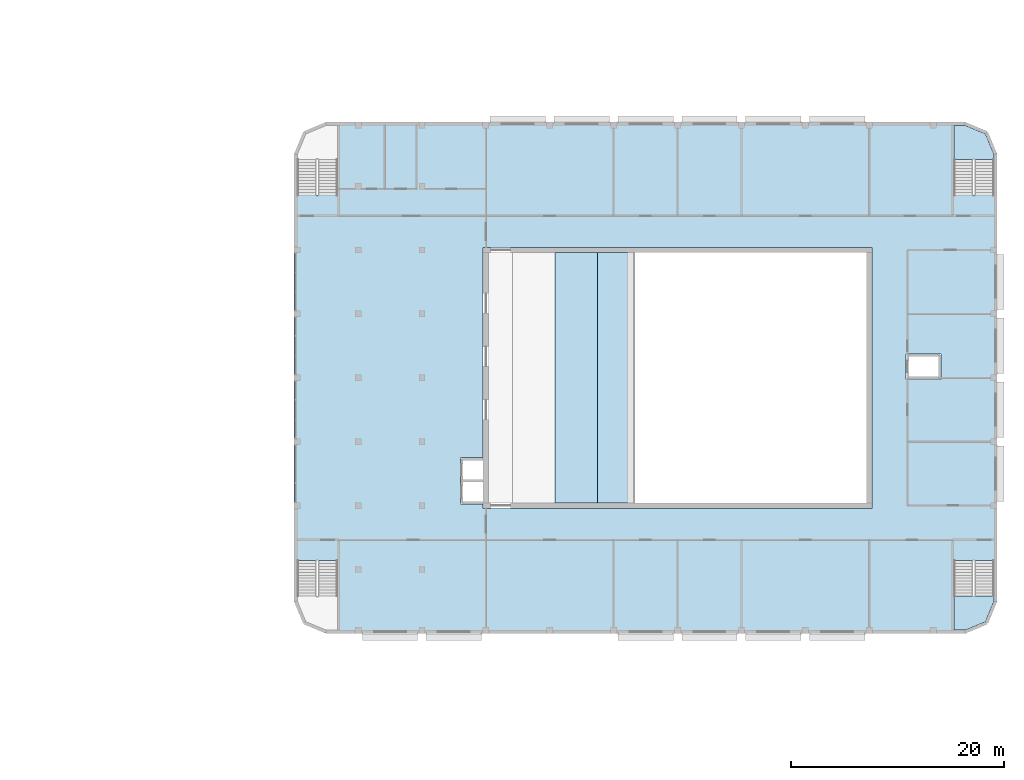
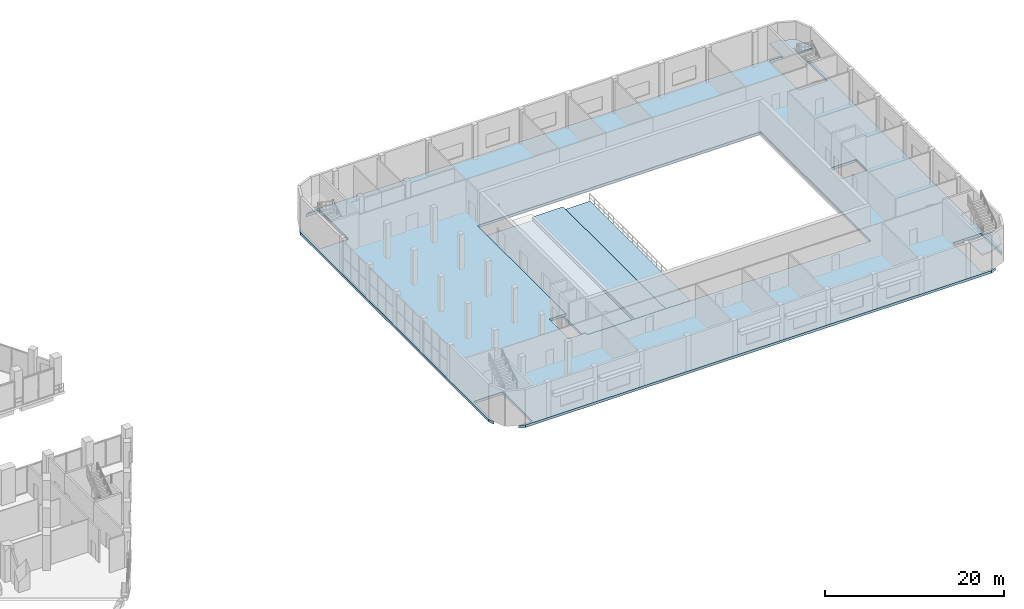
# One storey, part 14 of 45: 5 slabs, 2 elements without a shape of their own.
"""IFC4 building model written with IfcOpenShell, lengths in metres."""

from ifc_helpers import new_model, si_unit, direction, frame, origin, place, context, subcontext, project, spatial, polyline, outline, extrude, material, layer, layer_set, type_object, element, aggregate, save


model = new_model("IFC4")

# Units and contexts
model_context = context("Model", 3, precision=1e-05, world=origin(), true_north=direction((0.0, 1.0)))
body_context = subcontext(model_context, "Body", "Model", "MODEL_VIEW")
ifc_project = project(units=[si_unit("LENGTHUNIT", "METRE"), si_unit("AREAUNIT", "SQUARE_METRE"), si_unit("VOLUMEUNIT", "CUBIC_METRE"), si_unit("PLANEANGLEUNIT", "RADIAN"), si_unit("MASSUNIT", "GRAM", prefix="KILO")], contexts=[model_context])

# Site, building, storey
site_placement = place(None, origin())
site = spatial("IfcSite", under=ifc_project, at=site_placement, CompositionType="ELEMENT")
building_placement = place(site_placement, origin())
building = spatial("IfcBuilding", under=site, at=building_placement, Name="Nakaniwa Court", CompositionType="ELEMENT")
storey_placement = place(building_placement, frame((0.0, 0.0, 6.60009765625)))
storey = spatial("IfcBuildingStorey", under=building, at=storey_placement, Name="L01", CompositionType="ELEMENT", Elevation=6.60009765625)

# Slab
ifc_material = material(Name="Concrete C40/50", Category="concrete")
ifc_layer_1 = layer(ifc_material, 0.35009765625)
ifc_layer_set_1 = layer_set([ifc_layer_1], Name="Concrete C40/50")
slab_type_1 = type_object("IfcSlabType", Name="Hall floor slab 350", PredefinedType="FLOOR", material=ifc_layer_set_1)
slab_1_placement = place(storey_placement, frame((0.0, 0.0, -0.35009765625)))
element("IfcSlab", 1, at=slab_1_placement, inside=storey, type_object=slab_type_1, Name="Hall floor slab L01", PredefinedType="FLOOR", context=body_context, shape_type="SweptSolid", body=[
    extrude(outline(polyline([(152.300048828125, 62.844970703125), (156.050048828125, 62.844970703125), (156.050048828125, 56.300048828125), (154.27587890625, 56.300048828125), (155.0, 56.0), (215.0, 56.0), (215.72412109375, 56.300048828125), (213.949951171875, 56.300048828125), (213.949951171875, 62.844970703125), (217.699951171875, 62.844970703125), (217.699951171875, 58.27587890625), (218.0, 59.0), (218.0, 101.0), (217.699951171875, 101.72412109375), (217.699951171875, 97.155029296875), (213.949951171875, 97.155029296875), (213.949951171875, 103.699951171875), (215.72412109375, 103.699951171875), (215.0, 104.0), (155.0, 104.0), (154.27587890625, 103.699951171875), (156.050048828125, 103.699951171875), (156.050048828125, 97.155029296875), (152.300048828125, 97.155029296875), (152.300048828125, 101.72412109375), (152.0, 101.0), (152.0, 59.0), (152.300048828125, 58.27587890625), (152.300048828125, 62.844970703125)]), holes=[polyline([(169.75, 72.5), (169.75, 92.25), (206.25, 92.25), (206.25, 67.75), (169.75, 67.75), (169.75, 68.14990234375), (167.60009765625, 68.14990234375), (167.60009765625, 70.199951171875), (167.60009765625, 70.449951171875), (167.60009765625, 72.5), (169.75, 72.5)]), polyline([(212.75, 79.85009765625), (209.449951171875, 79.85009765625), (209.449951171875, 82.25), (212.75, 82.25), (212.75, 79.85009765625)])]), origin(), (0.0, 0.0, 1.0), 0.35009765625),
])

# Stair, slab
stair_type = type_object("IfcStairType", Name="Hall exit stair 26 risers", PredefinedType="HALF_TURN_STAIR", material=ifc_material)
stair_1_placement = place(storey_placement, origin())
stair_1 = element("IfcStair", 2, at=stair_1_placement, inside=storey, type_object=stair_type, Name="L01 Exit stair 3", PredefinedType="HALF_TURN_STAIR")
ifc_layer_2 = layer(ifc_material, 0.199951171875)
ifc_layer_set_2 = layer_set([ifc_layer_2], Name="Concrete C40/50")
slab_type_2 = type_object("IfcSlabType", Name="Hall stair landing 200", PredefinedType="LANDING", material=ifc_layer_set_2)
slab_2_placement = place(storey_placement, frame((0.0, 0.0, 2.199951171875)))
slab_2 = element("IfcSlab", 3, at=slab_2_placement, type_object=slab_type_2, Name="ST-H3 landing 1", PredefinedType="LANDING", context=body_context, shape_type="SweptSolid", body=[
    extrude(outline(polyline([(213.949951171875, 56.300048828125), (215.0, 56.300048828125), (216.9091796875, 57.0908203125), (217.699951171875, 59.0), (217.699951171875, 59.5), (213.949951171875, 59.5), (213.949951171875, 56.300048828125)])), origin(), (0.0, 0.0, 1.0), 0.199951171875),
])
aggregate(stair_1, [slab_2])

stair_2_placement = place(storey_placement, origin())
stair_2 = element("IfcStair", 4, at=stair_2_placement, inside=storey, type_object=stair_type, Name="L01 Exit stair 4", PredefinedType="HALF_TURN_STAIR")
slab_3_placement = place(storey_placement, frame((0.0, 0.0, 2.199951171875)))
slab_3 = element("IfcSlab", 5, at=slab_3_placement, type_object=slab_type_2, Name="ST-H4 landing 1", PredefinedType="LANDING", context=body_context, shape_type="SweptSolid", body=[
    extrude(outline(polyline([(217.699951171875, 101.0), (216.9091796875, 102.9091796875), (215.0, 103.699951171875), (213.949951171875, 103.699951171875), (213.949951171875, 100.5), (217.699951171875, 100.5), (217.699951171875, 101.0)])), origin(), (0.0, 0.0, 1.0), 0.199951171875),
])
aggregate(stair_2, [slab_3])

# Slabs
ifc_layer_3 = layer(ifc_material, 0.449951171875)
ifc_layer_set_3 = layer_set([ifc_layer_3], Name="Concrete C40/50")
slab_type_3 = type_object("IfcSlabType", Name="Terrace step slab 450", PredefinedType="FLOOR", material=ifc_layer_set_3)
slab_4_placement = place(storey_placement, frame((0.0, 0.0, -1.35009765625)))
element("IfcSlab", 6, at=slab_4_placement, inside=storey, type_object=slab_type_3, Name="Balcony tier L01 step R1", PredefinedType="FLOOR", context=body_context, shape_type="SweptSolid", body=[
    extrude(outline(polyline([(180.5, 68.25), (180.5, 91.75), (176.5, 91.75), (176.5, 68.25), (180.5, 68.25)])), origin(), (0.0, 0.0, 1.0), 0.449951171875),
])
ifc_layer_4 = layer(ifc_material, 0.35009765625)
ifc_layer_set_4 = layer_set([ifc_layer_4], Name="Concrete C40/50")
slab_type_4 = type_object("IfcSlabType", Name="Tier slab 350", PredefinedType="FLOOR", material=ifc_layer_set_4)
slab_5_placement = place(storey_placement, frame((0.0, 0.0, -1.7001953125)))
element("IfcSlab", 7, at=slab_5_placement, inside=storey, type_object=slab_type_4, Name="Balcony tier slab L01", PredefinedType="FLOOR", context=body_context, shape_type="SweptSolid", body=[
    extrude(outline(polyline([(184.0, 68.25), (184.0, 91.75), (170.25, 91.75), (170.25, 68.25), (184.0, 68.25)])), origin(), (0.0, 0.0, 1.0), 0.35009765625),
])

save(model, "model.ifc")
